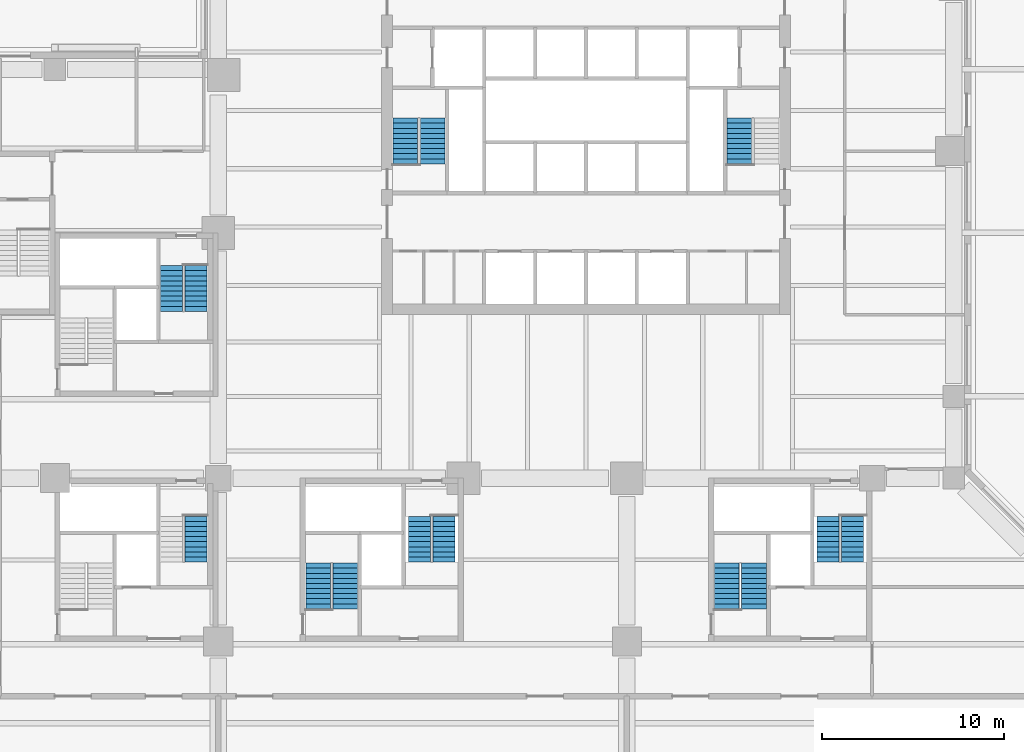
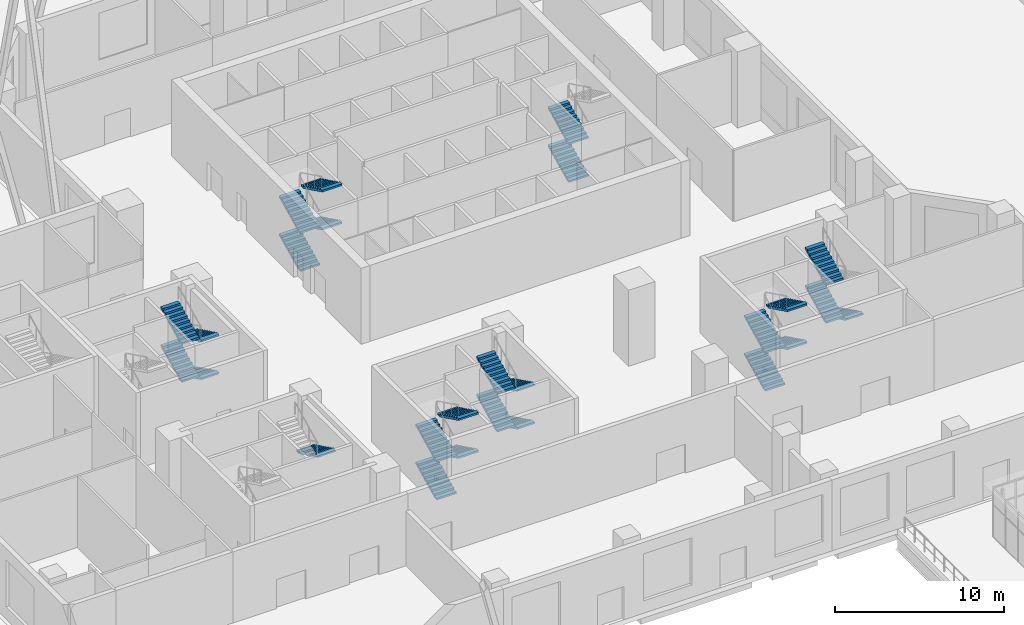
# One storey, part 28 of 33: 26 stair flights, 8 elements without a shape of their own.
"""IFC4 building model written with IfcOpenShell, lengths in metres."""

from ifc_helpers import new_model, si_unit, direction, frame, origin, place, context, subcontext, project, spatial, polyline, outline, extrude, material, type_object, element, aggregate, save


model = new_model("IFC4")

# Units and contexts
model_context = context("Model", 3, precision=1e-05, world=origin(), true_north=direction((0.0, 1.0)))
body_context = subcontext(model_context, "Body", "Model", "MODEL_VIEW")
ifc_project = project(units=[si_unit("LENGTHUNIT", "METRE"), si_unit("AREAUNIT", "SQUARE_METRE"), si_unit("VOLUMEUNIT", "CUBIC_METRE"), si_unit("PLANEANGLEUNIT", "RADIAN"), si_unit("MASSUNIT", "GRAM", prefix="KILO")], contexts=[model_context])

# Site, building, storey
site_placement = place(None, origin())
site = spatial("IfcSite", under=ifc_project, at=site_placement, CompositionType="ELEMENT")
building_placement = place(site_placement, origin())
building = spatial("IfcBuilding", under=site, at=building_placement, Name="Quoin Convention Tower", CompositionType="ELEMENT")
storey_placement = place(building_placement, frame((0.0, 0.0, 8.0)))
storey = spatial("IfcBuildingStorey", under=building, at=storey_placement, Name="L01", CompositionType="ELEMENT", Elevation=8.0)

# Stair, stair flights
ifc_material = material(Name="Concrete C40", Category="concrete")
stair_type_1 = type_object("IfcStairType", Name="Exit stair four-flight 1200", PredefinedType="DOUBLE_RETURN_STAIR", material=ifc_material)
stair_1_placement = place(storey_placement, origin())
stair_1 = element("IfcStair", 1, at=stair_1_placement, inside=storey, type_object=stair_type_1, Name="SD4 L01", PredefinedType="DOUBLE_RETURN_STAIR")
stair_flight_type_1 = type_object("IfcStairFlightType", Name="Stair flight 1200", PredefinedType="STRAIGHT", material=ifc_material)
stair_flight_1_placement = place(storey_placement, frame((34.77490234375, 52.199951171875, 0.0), z_axis=(0.0, 0.0, 1.0), x_axis=(0.0, -1.0, 0.0)))
stair_flight_1 = element("IfcStairFlight", 2, at=stair_flight_1_placement, type_object=stair_flight_type_1, Name="ST4 flight 1", NumberOfRisers=10, NumberOfTreads=9, PredefinedType="STRAIGHT", RiserHeight=0.1375, TreadLength=0.28, context=body_context, shape_type="SweptSolid", body=[
    extrude(outline(polyline([(0.0, 0.0), (0.0, 0.137451171875), (0.280029296875, 0.137451171875), (0.280029296875, 0.27490234375), (0.56005859375, 0.27490234375), (0.56005859375, 0.41259765625), (0.840087890625, 0.41259765625), (0.840087890625, 0.550048828125), (1.1201171875, 0.550048828125), (1.1201171875, 0.6875), (1.39990234375, 0.6875), (1.39990234375, 0.824951171875), (1.679931640625, 0.824951171875), (1.679931640625, 0.96240234375), (1.9599609375, 0.96240234375), (1.9599609375, 1.10009765625), (2.239990234375, 1.10009765625), (2.239990234375, 1.237548828125), (2.52001953125, 1.237548828125), (2.52001953125, 1.375), (2.52001953125, 1.103759765625), (0.2724609375, 0.0), (0.0, 0.0)])), frame((0.0, 0.60009765625, 0.0), z_axis=(0.0, -1.0, 0.0), x_axis=(1.0, 0.0, 0.0)), (0.0, 0.0, 1.0), 1.199951171875),
])
stair_flight_2_placement = place(storey_placement, frame((33.425048828125, 49.679931640625, 1.375), z_axis=(0.0, 0.0, 1.0), x_axis=(0.0, 1.0, 0.0)))
stair_flight_2 = element("IfcStairFlight", 3, at=stair_flight_2_placement, type_object=stair_flight_type_1, Name="ST4 flight 2", NumberOfRisers=10, NumberOfTreads=9, PredefinedType="STRAIGHT", RiserHeight=0.1375, TreadLength=0.28, context=body_context, shape_type="SweptSolid", body=[
    extrude(outline(polyline([(0.0, 0.0), (0.0, 0.137451171875), (0.280029296875, 0.137451171875), (0.280029296875, 0.27490234375), (0.56005859375, 0.27490234375), (0.56005859375, 0.41259765625), (0.840087890625, 0.41259765625), (0.840087890625, 0.550048828125), (1.1201171875, 0.550048828125), (1.1201171875, 0.6875), (1.39990234375, 0.6875), (1.39990234375, 0.824951171875), (1.679931640625, 0.824951171875), (1.679931640625, 0.96240234375), (1.9599609375, 0.96240234375), (1.9599609375, 1.10009765625), (2.239990234375, 1.10009765625), (2.239990234375, 1.237548828125), (2.52001953125, 1.237548828125), (2.52001953125, 1.375), (2.52001953125, 1.103759765625), (0.2724609375, 0.0), (0.0, 0.0)])), frame((0.0, 0.60009765625, 0.0), z_axis=(0.0, -1.0, 0.0), x_axis=(1.0, 0.0, 0.0)), (0.0, 0.0, 1.0), 1.199951171875),
])
stair_flight_3_placement = place(storey_placement, frame((34.77490234375, 52.199951171875, 2.75), z_axis=(0.0, 0.0, 1.0), x_axis=(0.0, -1.0, 0.0)))
stair_flight_3 = element("IfcStairFlight", 4, at=stair_flight_3_placement, type_object=stair_flight_type_1, Name="ST4 flight 3", NumberOfRisers=10, NumberOfTreads=9, PredefinedType="STRAIGHT", RiserHeight=0.1375, TreadLength=0.28, context=body_context, shape_type="SweptSolid", body=[
    extrude(outline(polyline([(0.0, 0.0), (0.0, 0.137451171875), (0.280029296875, 0.137451171875), (0.280029296875, 0.27490234375), (0.56005859375, 0.27490234375), (0.56005859375, 0.41259765625), (0.840087890625, 0.41259765625), (0.840087890625, 0.550048828125), (1.1201171875, 0.550048828125), (1.1201171875, 0.6875), (1.39990234375, 0.6875), (1.39990234375, 0.824951171875), (1.679931640625, 0.824951171875), (1.679931640625, 0.96240234375), (1.9599609375, 0.96240234375), (1.9599609375, 1.10009765625), (2.239990234375, 1.10009765625), (2.239990234375, 1.237548828125), (2.52001953125, 1.237548828125), (2.52001953125, 1.375), (2.52001953125, 1.103759765625), (0.2724609375, 0.0), (0.0, 0.0)])), frame((0.0, 0.60009765625, 0.0), z_axis=(0.0, -1.0, 0.0), x_axis=(1.0, 0.0, 0.0)), (0.0, 0.0, 1.0), 1.199951171875),
])
stair_flight_4_placement = place(storey_placement, frame((33.425048828125, 49.679931640625, 4.125), z_axis=(0.0, 0.0, 1.0), x_axis=(0.0, 1.0, 0.0)))
stair_flight_4 = element("IfcStairFlight", 5, at=stair_flight_4_placement, type_object=stair_flight_type_1, Name="ST4 flight 4", NumberOfRisers=10, NumberOfTreads=9, PredefinedType="STRAIGHT", RiserHeight=0.1375, TreadLength=0.28, context=body_context, shape_type="SweptSolid", body=[
    extrude(outline(polyline([(0.0, 0.0), (0.0, 0.137451171875), (0.280029296875, 0.137451171875), (0.280029296875, 0.27490234375), (0.56005859375, 0.27490234375), (0.56005859375, 0.41259765625), (0.840087890625, 0.41259765625), (0.840087890625, 0.550048828125), (1.1201171875, 0.550048828125), (1.1201171875, 0.6875), (1.39990234375, 0.6875), (1.39990234375, 0.824951171875), (1.679931640625, 0.824951171875), (1.679931640625, 0.96240234375), (1.9599609375, 0.96240234375), (1.9599609375, 1.10009765625), (2.239990234375, 1.10009765625), (2.239990234375, 1.237548828125), (2.52001953125, 1.237548828125), (2.52001953125, 1.375), (2.52001953125, 1.103759765625), (0.2724609375, 0.0), (0.0, 0.0)])), frame((0.0, 0.60009765625, 0.0), z_axis=(0.0, -1.0, 0.0), x_axis=(1.0, 0.0, 0.0)), (0.0, 0.0, 1.0), 1.199951171875),
])
aggregate(stair_1, [stair_flight_1, stair_flight_2, stair_flight_3, stair_flight_4])

stair_2_placement = place(storey_placement, origin())
stair_2 = element("IfcStair", 6, at=stair_2_placement, inside=storey, type_object=stair_type_1, Name="SD6 L01", PredefinedType="DOUBLE_RETURN_STAIR")
stair_flight_5_placement = place(storey_placement, frame((48.425048828125, 38.39990234375, 0.0), z_axis=(0.0, 0.0, 1.0), x_axis=(0.0, -1.0, 0.0)))
stair_flight_5 = element("IfcStairFlight", 7, at=stair_flight_5_placement, type_object=stair_flight_type_1, Name="ST6 flight 1", NumberOfRisers=10, NumberOfTreads=9, PredefinedType="STRAIGHT", RiserHeight=0.1375, TreadLength=0.28, context=body_context, shape_type="SweptSolid", body=[
    extrude(outline(polyline([(0.0, 0.0), (0.0, 0.137451171875), (0.280029296875, 0.137451171875), (0.280029296875, 0.27490234375), (0.56005859375, 0.27490234375), (0.56005859375, 0.41259765625), (0.840087890625, 0.41259765625), (0.840087890625, 0.550048828125), (1.1201171875, 0.550048828125), (1.1201171875, 0.6875), (1.39990234375, 0.6875), (1.39990234375, 0.824951171875), (1.679931640625, 0.824951171875), (1.679931640625, 0.96240234375), (1.9599609375, 0.96240234375), (1.9599609375, 1.10009765625), (2.239990234375, 1.10009765625), (2.239990234375, 1.237548828125), (2.52001953125, 1.237548828125), (2.52001953125, 1.375), (2.52001953125, 1.103759765625), (0.2724609375, 0.0), (0.0, 0.0)])), frame((0.0, 0.60009765625, 0.0), z_axis=(0.0, -1.0, 0.0), x_axis=(1.0, 0.0, 0.0)), (0.0, 0.0, 1.0), 1.199951171875),
])
stair_flight_6_placement = place(storey_placement, frame((47.074951171875, 35.8798828125, 1.375), z_axis=(0.0, 0.0, 1.0), x_axis=(0.0, 1.0, 0.0)))
stair_flight_6 = element("IfcStairFlight", 8, at=stair_flight_6_placement, type_object=stair_flight_type_1, Name="ST6 flight 2", NumberOfRisers=10, NumberOfTreads=9, PredefinedType="STRAIGHT", RiserHeight=0.1375, TreadLength=0.28, context=body_context, shape_type="SweptSolid", body=[
    extrude(outline(polyline([(0.0, 0.0), (0.0, 0.137451171875), (0.280029296875, 0.137451171875), (0.280029296875, 0.27490234375), (0.56005859375, 0.27490234375), (0.56005859375, 0.41259765625), (0.840087890625, 0.41259765625), (0.840087890625, 0.550048828125), (1.1201171875, 0.550048828125), (1.1201171875, 0.6875), (1.39990234375, 0.6875), (1.39990234375, 0.824951171875), (1.679931640625, 0.824951171875), (1.679931640625, 0.96240234375), (1.9599609375, 0.96240234375), (1.9599609375, 1.10009765625), (2.239990234375, 1.10009765625), (2.239990234375, 1.237548828125), (2.52001953125, 1.237548828125), (2.52001953125, 1.375), (2.52001953125, 1.103759765625), (0.2724609375, 0.0), (0.0, 0.0)])), frame((0.0, 0.60009765625, 0.0), z_axis=(0.0, -1.0, 0.0), x_axis=(1.0, 0.0, 0.0)), (0.0, 0.0, 1.0), 1.199951171875),
])
stair_flight_7_placement = place(storey_placement, frame((48.425048828125, 38.39990234375, 2.75), z_axis=(0.0, 0.0, 1.0), x_axis=(0.0, -1.0, 0.0)))
stair_flight_7 = element("IfcStairFlight", 9, at=stair_flight_7_placement, type_object=stair_flight_type_1, Name="ST6 flight 3", NumberOfRisers=10, NumberOfTreads=9, PredefinedType="STRAIGHT", RiserHeight=0.1375, TreadLength=0.28, context=body_context, shape_type="SweptSolid", body=[
    extrude(outline(polyline([(0.0, 0.0), (0.0, 0.137451171875), (0.280029296875, 0.137451171875), (0.280029296875, 0.27490234375), (0.56005859375, 0.27490234375), (0.56005859375, 0.41259765625), (0.840087890625, 0.41259765625), (0.840087890625, 0.550048828125), (1.1201171875, 0.550048828125), (1.1201171875, 0.6875), (1.39990234375, 0.6875), (1.39990234375, 0.824951171875), (1.679931640625, 0.824951171875), (1.679931640625, 0.96240234375), (1.9599609375, 0.96240234375), (1.9599609375, 1.10009765625), (2.239990234375, 1.10009765625), (2.239990234375, 1.237548828125), (2.52001953125, 1.237548828125), (2.52001953125, 1.375), (2.52001953125, 1.103759765625), (0.2724609375, 0.0), (0.0, 0.0)])), frame((0.0, 0.60009765625, 0.0), z_axis=(0.0, -1.0, 0.0), x_axis=(1.0, 0.0, 0.0)), (0.0, 0.0, 1.0), 1.199951171875),
])
stair_flight_8_placement = place(storey_placement, frame((47.074951171875, 35.8798828125, 4.125), z_axis=(0.0, 0.0, 1.0), x_axis=(0.0, 1.0, 0.0)))
stair_flight_8 = element("IfcStairFlight", 10, at=stair_flight_8_placement, type_object=stair_flight_type_1, Name="ST6 flight 4", NumberOfRisers=10, NumberOfTreads=9, PredefinedType="STRAIGHT", RiserHeight=0.1375, TreadLength=0.28, context=body_context, shape_type="SweptSolid", body=[
    extrude(outline(polyline([(0.0, 0.0), (0.0, 0.137451171875), (0.280029296875, 0.137451171875), (0.280029296875, 0.27490234375), (0.56005859375, 0.27490234375), (0.56005859375, 0.41259765625), (0.840087890625, 0.41259765625), (0.840087890625, 0.550048828125), (1.1201171875, 0.550048828125), (1.1201171875, 0.6875), (1.39990234375, 0.6875), (1.39990234375, 0.824951171875), (1.679931640625, 0.824951171875), (1.679931640625, 0.96240234375), (1.9599609375, 0.96240234375), (1.9599609375, 1.10009765625), (2.239990234375, 1.10009765625), (2.239990234375, 1.237548828125), (2.52001953125, 1.237548828125), (2.52001953125, 1.375), (2.52001953125, 1.103759765625), (0.2724609375, 0.0), (0.0, 0.0)])), frame((0.0, 0.60009765625, 0.0), z_axis=(0.0, -1.0, 0.0), x_axis=(1.0, 0.0, 0.0)), (0.0, 0.0, 1.0), 1.199951171875),
])
aggregate(stair_2, [stair_flight_5, stair_flight_6, stair_flight_7, stair_flight_8])

# Stair, stair flight
stair_3_placement = place(storey_placement, origin())
stair_3 = element("IfcStair", 11, at=stair_3_placement, inside=storey, type_object=stair_type_1, Name="SD8 L01", PredefinedType="DOUBLE_RETURN_STAIR")
stair_flight_9_placement = place(storey_placement, frame((34.77490234375, 38.39990234375, 2.75), z_axis=(0.0, 0.0, 1.0), x_axis=(0.0, -1.0, 0.0)))
stair_flight_9 = element("IfcStairFlight", 12, at=stair_flight_9_placement, type_object=stair_flight_type_1, Name="ST8 flight 3", NumberOfRisers=10, NumberOfTreads=9, PredefinedType="STRAIGHT", RiserHeight=0.1375, TreadLength=0.28, context=body_context, shape_type="SweptSolid", body=[
    extrude(outline(polyline([(0.0, 0.0), (0.0, 0.137451171875), (0.280029296875, 0.137451171875), (0.280029296875, 0.27490234375), (0.56005859375, 0.27490234375), (0.56005859375, 0.41259765625), (0.840087890625, 0.41259765625), (0.840087890625, 0.550048828125), (1.1201171875, 0.550048828125), (1.1201171875, 0.6875), (1.39990234375, 0.6875), (1.39990234375, 0.824951171875), (1.679931640625, 0.824951171875), (1.679931640625, 0.96240234375), (1.9599609375, 0.96240234375), (1.9599609375, 1.10009765625), (2.239990234375, 1.10009765625), (2.239990234375, 1.237548828125), (2.52001953125, 1.237548828125), (2.52001953125, 1.375), (2.52001953125, 1.103759765625), (0.2724609375, 0.0), (0.0, 0.0)])), frame((0.0, 0.60009765625, 0.0), z_axis=(0.0, -1.0, 0.0), x_axis=(1.0, 0.0, 0.0)), (0.0, 0.0, 1.0), 1.199951171875),
])
aggregate(stair_3, [stair_flight_9])

# Stair, stair flights
stair_4_placement = place(storey_placement, origin())
stair_4 = element("IfcStair", 13, at=stair_4_placement, inside=storey, type_object=stair_type_1, Name="SD10 L01", PredefinedType="DOUBLE_RETURN_STAIR")
stair_flight_10_placement = place(storey_placement, frame((70.925048828125, 38.39990234375, 0.0), z_axis=(0.0, 0.0, 1.0), x_axis=(0.0, -1.0, 0.0)))
stair_flight_10 = element("IfcStairFlight", 14, at=stair_flight_10_placement, type_object=stair_flight_type_1, Name="ST10 flight 1", NumberOfRisers=10, NumberOfTreads=9, PredefinedType="STRAIGHT", RiserHeight=0.1375, TreadLength=0.28, context=body_context, shape_type="SweptSolid", body=[
    extrude(outline(polyline([(0.0, 0.0), (0.0, 0.137451171875), (0.280029296875, 0.137451171875), (0.280029296875, 0.27490234375), (0.56005859375, 0.27490234375), (0.56005859375, 0.41259765625), (0.840087890625, 0.41259765625), (0.840087890625, 0.550048828125), (1.1201171875, 0.550048828125), (1.1201171875, 0.6875), (1.39990234375, 0.6875), (1.39990234375, 0.824951171875), (1.679931640625, 0.824951171875), (1.679931640625, 0.96240234375), (1.9599609375, 0.96240234375), (1.9599609375, 1.10009765625), (2.239990234375, 1.10009765625), (2.239990234375, 1.237548828125), (2.52001953125, 1.237548828125), (2.52001953125, 1.375), (2.52001953125, 1.103759765625), (0.2724609375, 0.0), (0.0, 0.0)])), frame((0.0, 0.60009765625, 0.0), z_axis=(0.0, -1.0, 0.0), x_axis=(1.0, 0.0, 0.0)), (0.0, 0.0, 1.0), 1.199951171875),
])
stair_flight_11_placement = place(storey_placement, frame((69.574951171875, 35.8798828125, 1.375), z_axis=(0.0, 0.0, 1.0), x_axis=(0.0, 1.0, 0.0)))
stair_flight_11 = element("IfcStairFlight", 15, at=stair_flight_11_placement, type_object=stair_flight_type_1, Name="ST10 flight 2", NumberOfRisers=10, NumberOfTreads=9, PredefinedType="STRAIGHT", RiserHeight=0.1375, TreadLength=0.28, context=body_context, shape_type="SweptSolid", body=[
    extrude(outline(polyline([(0.0, 0.0), (0.0, 0.137451171875), (0.280029296875, 0.137451171875), (0.280029296875, 0.27490234375), (0.56005859375, 0.27490234375), (0.56005859375, 0.41259765625), (0.840087890625, 0.41259765625), (0.840087890625, 0.550048828125), (1.1201171875, 0.550048828125), (1.1201171875, 0.6875), (1.39990234375, 0.6875), (1.39990234375, 0.824951171875), (1.679931640625, 0.824951171875), (1.679931640625, 0.96240234375), (1.9599609375, 0.96240234375), (1.9599609375, 1.10009765625), (2.239990234375, 1.10009765625), (2.239990234375, 1.237548828125), (2.52001953125, 1.237548828125), (2.52001953125, 1.375), (2.52001953125, 1.103759765625), (0.2724609375, 0.0), (0.0, 0.0)])), frame((0.0, 0.60009765625, 0.0), z_axis=(0.0, -1.0, 0.0), x_axis=(1.0, 0.0, 0.0)), (0.0, 0.0, 1.0), 1.199951171875),
])
stair_flight_12_placement = place(storey_placement, frame((69.574951171875, 35.8798828125, 4.125), z_axis=(0.0, 0.0, 1.0), x_axis=(0.0, 1.0, 0.0)))
stair_flight_12 = element("IfcStairFlight", 16, at=stair_flight_12_placement, type_object=stair_flight_type_1, Name="ST10 flight 4", NumberOfRisers=10, NumberOfTreads=9, PredefinedType="STRAIGHT", RiserHeight=0.1375, TreadLength=0.28, context=body_context, shape_type="SweptSolid", body=[
    extrude(outline(polyline([(0.0, 0.0), (0.0, 0.137451171875), (0.280029296875, 0.137451171875), (0.280029296875, 0.27490234375), (0.56005859375, 0.27490234375), (0.56005859375, 0.41259765625), (0.840087890625, 0.41259765625), (0.840087890625, 0.550048828125), (1.1201171875, 0.550048828125), (1.1201171875, 0.6875), (1.39990234375, 0.6875), (1.39990234375, 0.824951171875), (1.679931640625, 0.824951171875), (1.679931640625, 0.96240234375), (1.9599609375, 0.96240234375), (1.9599609375, 1.10009765625), (2.239990234375, 1.10009765625), (2.239990234375, 1.237548828125), (2.52001953125, 1.237548828125), (2.52001953125, 1.375), (2.52001953125, 1.103759765625), (0.2724609375, 0.0), (0.0, 0.0)])), frame((0.0, 0.60009765625, 0.0), z_axis=(0.0, -1.0, 0.0), x_axis=(1.0, 0.0, 0.0)), (0.0, 0.0, 1.0), 1.199951171875),
])
aggregate(stair_4, [stair_flight_10, stair_flight_11, stair_flight_12])

stair_type_2 = type_object("IfcStairType", Name="Exit stair four-flight 1350", PredefinedType="DOUBLE_RETURN_STAIR", material=ifc_material)
stair_5_placement = place(storey_placement, origin())
stair_5 = element("IfcStair", 17, at=stair_5_placement, inside=storey, type_object=stair_type_2, Name="SD1 L01", PredefinedType="DOUBLE_RETURN_STAIR")
stair_flight_type_2 = type_object("IfcStairFlightType", Name="Stair flight 1350", PredefinedType="STRAIGHT", material=ifc_material)
stair_flight_13_placement = place(storey_placement, frame((46.300048828125, 57.800048828125, 0.0), z_axis=(0.0, 0.0, 1.0), x_axis=(0.0, 1.0, 0.0)))
stair_flight_13 = element("IfcStairFlight", 18, at=stair_flight_13_placement, type_object=stair_flight_type_2, Name="ST1 flight 1", NumberOfRisers=10, NumberOfTreads=9, PredefinedType="STRAIGHT", RiserHeight=0.1375, TreadLength=0.28, context=body_context, shape_type="SweptSolid", body=[
    extrude(outline(polyline([(0.0, 0.0), (0.0, 0.137451171875), (0.280029296875, 0.137451171875), (0.280029296875, 0.27490234375), (0.56005859375, 0.27490234375), (0.56005859375, 0.41259765625), (0.840087890625, 0.41259765625), (0.840087890625, 0.550048828125), (1.1201171875, 0.550048828125), (1.1201171875, 0.6875), (1.39990234375, 0.6875), (1.39990234375, 0.824951171875), (1.679931640625, 0.824951171875), (1.679931640625, 0.96240234375), (1.9599609375, 0.96240234375), (1.9599609375, 1.10009765625), (2.239990234375, 1.10009765625), (2.239990234375, 1.237548828125), (2.52001953125, 1.237548828125), (2.52001953125, 1.375), (2.52001953125, 1.103759765625), (0.2724609375, 0.0), (0.0, 0.0)])), frame((0.0, 0.675048828125, 0.0), z_axis=(0.0, -1.0, 0.0), x_axis=(1.0, 0.0, 0.0)), (0.0, 0.0, 1.0), 1.35009765625),
])
stair_flight_14_placement = place(storey_placement, frame((47.800048828125, 60.320068359375, 1.375), z_axis=(0.0, 0.0, 1.0), x_axis=(0.0, -1.0, 0.0)))
stair_flight_14 = element("IfcStairFlight", 19, at=stair_flight_14_placement, type_object=stair_flight_type_2, Name="ST1 flight 2", NumberOfRisers=10, NumberOfTreads=9, PredefinedType="STRAIGHT", RiserHeight=0.1375, TreadLength=0.28, context=body_context, shape_type="SweptSolid", body=[
    extrude(outline(polyline([(0.0, 0.0), (0.0, 0.137451171875), (0.280029296875, 0.137451171875), (0.280029296875, 0.27490234375), (0.56005859375, 0.27490234375), (0.56005859375, 0.41259765625), (0.840087890625, 0.41259765625), (0.840087890625, 0.550048828125), (1.1201171875, 0.550048828125), (1.1201171875, 0.6875), (1.39990234375, 0.6875), (1.39990234375, 0.824951171875), (1.679931640625, 0.824951171875), (1.679931640625, 0.96240234375), (1.9599609375, 0.96240234375), (1.9599609375, 1.10009765625), (2.239990234375, 1.10009765625), (2.239990234375, 1.237548828125), (2.52001953125, 1.237548828125), (2.52001953125, 1.375), (2.52001953125, 1.103759765625), (0.2724609375, 0.0), (0.0, 0.0)])), frame((0.0, 0.675048828125, 0.0), z_axis=(0.0, -1.0, 0.0), x_axis=(1.0, 0.0, 0.0)), (0.0, 0.0, 1.0), 1.35009765625),
])
stair_flight_15_placement = place(storey_placement, frame((46.300048828125, 57.800048828125, 2.75), z_axis=(0.0, 0.0, 1.0), x_axis=(0.0, 1.0, 0.0)))
stair_flight_15 = element("IfcStairFlight", 20, at=stair_flight_15_placement, type_object=stair_flight_type_2, Name="ST1 flight 3", NumberOfRisers=10, NumberOfTreads=9, PredefinedType="STRAIGHT", RiserHeight=0.1375, TreadLength=0.28, context=body_context, shape_type="SweptSolid", body=[
    extrude(outline(polyline([(0.0, 0.0), (0.0, 0.137451171875), (0.280029296875, 0.137451171875), (0.280029296875, 0.27490234375), (0.56005859375, 0.27490234375), (0.56005859375, 0.41259765625), (0.840087890625, 0.41259765625), (0.840087890625, 0.550048828125), (1.1201171875, 0.550048828125), (1.1201171875, 0.6875), (1.39990234375, 0.6875), (1.39990234375, 0.824951171875), (1.679931640625, 0.824951171875), (1.679931640625, 0.96240234375), (1.9599609375, 0.96240234375), (1.9599609375, 1.10009765625), (2.239990234375, 1.10009765625), (2.239990234375, 1.237548828125), (2.52001953125, 1.237548828125), (2.52001953125, 1.375), (2.52001953125, 1.103759765625), (0.2724609375, 0.0), (0.0, 0.0)])), frame((0.0, 0.675048828125, 0.0), z_axis=(0.0, -1.0, 0.0), x_axis=(1.0, 0.0, 0.0)), (0.0, 0.0, 1.0), 1.35009765625),
])
stair_flight_16_placement = place(storey_placement, frame((47.800048828125, 60.320068359375, 4.125), z_axis=(0.0, 0.0, 1.0), x_axis=(0.0, -1.0, 0.0)))
stair_flight_16 = element("IfcStairFlight", 21, at=stair_flight_16_placement, type_object=stair_flight_type_2, Name="ST1 flight 4", NumberOfRisers=10, NumberOfTreads=9, PredefinedType="STRAIGHT", RiserHeight=0.1375, TreadLength=0.28, context=body_context, shape_type="SweptSolid", body=[
    extrude(outline(polyline([(0.0, 0.0), (0.0, 0.137451171875), (0.280029296875, 0.137451171875), (0.280029296875, 0.27490234375), (0.56005859375, 0.27490234375), (0.56005859375, 0.41259765625), (0.840087890625, 0.41259765625), (0.840087890625, 0.550048828125), (1.1201171875, 0.550048828125), (1.1201171875, 0.6875), (1.39990234375, 0.6875), (1.39990234375, 0.824951171875), (1.679931640625, 0.824951171875), (1.679931640625, 0.96240234375), (1.9599609375, 0.96240234375), (1.9599609375, 1.10009765625), (2.239990234375, 1.10009765625), (2.239990234375, 1.237548828125), (2.52001953125, 1.237548828125), (2.52001953125, 1.375), (2.52001953125, 1.103759765625), (0.2724609375, 0.0), (0.0, 0.0)])), frame((0.0, 0.675048828125, 0.0), z_axis=(0.0, -1.0, 0.0), x_axis=(1.0, 0.0, 0.0)), (0.0, 0.0, 1.0), 1.35009765625),
])
aggregate(stair_5, [stair_flight_13, stair_flight_14, stair_flight_15, stair_flight_16])

stair_6_placement = place(storey_placement, origin())
stair_6 = element("IfcStair", 22, at=stair_6_placement, inside=storey, type_object=stair_type_2, Name="SD2 L01", PredefinedType="DOUBLE_RETURN_STAIR")
stair_flight_17_placement = place(storey_placement, frame((64.699951171875, 57.800048828125, 0.0), z_axis=(0.0, 0.0, 1.0), x_axis=(0.0, 1.0, 0.0)))
stair_flight_17 = element("IfcStairFlight", 23, at=stair_flight_17_placement, type_object=stair_flight_type_2, Name="ST2 flight 1", NumberOfRisers=10, NumberOfTreads=9, PredefinedType="STRAIGHT", RiserHeight=0.1375, TreadLength=0.28, context=body_context, shape_type="SweptSolid", body=[
    extrude(outline(polyline([(0.0, 0.0), (0.0, 0.137451171875), (0.280029296875, 0.137451171875), (0.280029296875, 0.27490234375), (0.56005859375, 0.27490234375), (0.56005859375, 0.41259765625), (0.840087890625, 0.41259765625), (0.840087890625, 0.550048828125), (1.1201171875, 0.550048828125), (1.1201171875, 0.6875), (1.39990234375, 0.6875), (1.39990234375, 0.824951171875), (1.679931640625, 0.824951171875), (1.679931640625, 0.96240234375), (1.9599609375, 0.96240234375), (1.9599609375, 1.10009765625), (2.239990234375, 1.10009765625), (2.239990234375, 1.237548828125), (2.52001953125, 1.237548828125), (2.52001953125, 1.375), (2.52001953125, 1.103759765625), (0.2724609375, 0.0), (0.0, 0.0)])), frame((0.0, 0.675048828125, 0.0), z_axis=(0.0, -1.0, 0.0), x_axis=(1.0, 0.0, 0.0)), (0.0, 0.0, 1.0), 1.35009765625),
])
stair_flight_18_placement = place(storey_placement, frame((64.699951171875, 57.800048828125, 2.75), z_axis=(0.0, 0.0, 1.0), x_axis=(0.0, 1.0, 0.0)))
stair_flight_18 = element("IfcStairFlight", 24, at=stair_flight_18_placement, type_object=stair_flight_type_2, Name="ST2 flight 3", NumberOfRisers=10, NumberOfTreads=9, PredefinedType="STRAIGHT", RiserHeight=0.1375, TreadLength=0.28, context=body_context, shape_type="SweptSolid", body=[
    extrude(outline(polyline([(0.0, 0.0), (0.0, 0.137451171875), (0.280029296875, 0.137451171875), (0.280029296875, 0.27490234375), (0.56005859375, 0.27490234375), (0.56005859375, 0.41259765625), (0.840087890625, 0.41259765625), (0.840087890625, 0.550048828125), (1.1201171875, 0.550048828125), (1.1201171875, 0.6875), (1.39990234375, 0.6875), (1.39990234375, 0.824951171875), (1.679931640625, 0.824951171875), (1.679931640625, 0.96240234375), (1.9599609375, 0.96240234375), (1.9599609375, 1.10009765625), (2.239990234375, 1.10009765625), (2.239990234375, 1.237548828125), (2.52001953125, 1.237548828125), (2.52001953125, 1.375), (2.52001953125, 1.103759765625), (0.2724609375, 0.0), (0.0, 0.0)])), frame((0.0, 0.675048828125, 0.0), z_axis=(0.0, -1.0, 0.0), x_axis=(1.0, 0.0, 0.0)), (0.0, 0.0, 1.0), 1.35009765625),
])
aggregate(stair_6, [stair_flight_17, stair_flight_18])

stair_7_placement = place(storey_placement, origin())
stair_7 = element("IfcStair", 25, at=stair_7_placement, inside=storey, type_object=stair_type_2, Name="SD5 L01", PredefinedType="DOUBLE_RETURN_STAIR")
stair_flight_19_placement = place(storey_placement, frame((41.5, 33.300048828125, 0.0), z_axis=(0.0, 0.0, 1.0), x_axis=(0.0, 1.0, 0.0)))
stair_flight_19 = element("IfcStairFlight", 26, at=stair_flight_19_placement, type_object=stair_flight_type_2, Name="ST5 flight 1", NumberOfRisers=10, NumberOfTreads=9, PredefinedType="STRAIGHT", RiserHeight=0.1375, TreadLength=0.28, context=body_context, shape_type="SweptSolid", body=[
    extrude(outline(polyline([(0.0, 0.0), (0.0, 0.137451171875), (0.280029296875, 0.137451171875), (0.280029296875, 0.27490234375), (0.56005859375, 0.27490234375), (0.56005859375, 0.41259765625), (0.840087890625, 0.41259765625), (0.840087890625, 0.550048828125), (1.1201171875, 0.550048828125), (1.1201171875, 0.6875), (1.39990234375, 0.6875), (1.39990234375, 0.824951171875), (1.679931640625, 0.824951171875), (1.679931640625, 0.96240234375), (1.9599609375, 0.96240234375), (1.9599609375, 1.10009765625), (2.239990234375, 1.10009765625), (2.239990234375, 1.237548828125), (2.52001953125, 1.237548828125), (2.52001953125, 1.375), (2.52001953125, 1.103759765625), (0.2724609375, 0.0), (0.0, 0.0)])), frame((0.0, 0.675048828125, 0.0), z_axis=(0.0, -1.0, 0.0), x_axis=(1.0, 0.0, 0.0)), (0.0, 0.0, 1.0), 1.35009765625),
])
stair_flight_20_placement = place(storey_placement, frame((43.0, 35.820068359375, 1.375), z_axis=(0.0, 0.0, 1.0), x_axis=(0.0, -1.0, 0.0)))
stair_flight_20 = element("IfcStairFlight", 27, at=stair_flight_20_placement, type_object=stair_flight_type_2, Name="ST5 flight 2", NumberOfRisers=10, NumberOfTreads=9, PredefinedType="STRAIGHT", RiserHeight=0.1375, TreadLength=0.28, context=body_context, shape_type="SweptSolid", body=[
    extrude(outline(polyline([(0.0, 0.0), (0.0, 0.137451171875), (0.280029296875, 0.137451171875), (0.280029296875, 0.27490234375), (0.56005859375, 0.27490234375), (0.56005859375, 0.41259765625), (0.840087890625, 0.41259765625), (0.840087890625, 0.550048828125), (1.1201171875, 0.550048828125), (1.1201171875, 0.6875), (1.39990234375, 0.6875), (1.39990234375, 0.824951171875), (1.679931640625, 0.824951171875), (1.679931640625, 0.96240234375), (1.9599609375, 0.96240234375), (1.9599609375, 1.10009765625), (2.239990234375, 1.10009765625), (2.239990234375, 1.237548828125), (2.52001953125, 1.237548828125), (2.52001953125, 1.375), (2.52001953125, 1.103759765625), (0.2724609375, 0.0), (0.0, 0.0)])), frame((0.0, 0.675048828125, 0.0), z_axis=(0.0, -1.0, 0.0), x_axis=(1.0, 0.0, 0.0)), (0.0, 0.0, 1.0), 1.35009765625),
])
stair_flight_21_placement = place(storey_placement, frame((41.5, 33.300048828125, 2.75), z_axis=(0.0, 0.0, 1.0), x_axis=(0.0, 1.0, 0.0)))
stair_flight_21 = element("IfcStairFlight", 28, at=stair_flight_21_placement, type_object=stair_flight_type_2, Name="ST5 flight 3", NumberOfRisers=10, NumberOfTreads=9, PredefinedType="STRAIGHT", RiserHeight=0.1375, TreadLength=0.28, context=body_context, shape_type="SweptSolid", body=[
    extrude(outline(polyline([(0.0, 0.0), (0.0, 0.137451171875), (0.280029296875, 0.137451171875), (0.280029296875, 0.27490234375), (0.56005859375, 0.27490234375), (0.56005859375, 0.41259765625), (0.840087890625, 0.41259765625), (0.840087890625, 0.550048828125), (1.1201171875, 0.550048828125), (1.1201171875, 0.6875), (1.39990234375, 0.6875), (1.39990234375, 0.824951171875), (1.679931640625, 0.824951171875), (1.679931640625, 0.96240234375), (1.9599609375, 0.96240234375), (1.9599609375, 1.10009765625), (2.239990234375, 1.10009765625), (2.239990234375, 1.237548828125), (2.52001953125, 1.237548828125), (2.52001953125, 1.375), (2.52001953125, 1.103759765625), (0.2724609375, 0.0), (0.0, 0.0)])), frame((0.0, 0.675048828125, 0.0), z_axis=(0.0, -1.0, 0.0), x_axis=(1.0, 0.0, 0.0)), (0.0, 0.0, 1.0), 1.35009765625),
])
stair_flight_22_placement = place(storey_placement, frame((43.0, 35.820068359375, 4.125), z_axis=(0.0, 0.0, 1.0), x_axis=(0.0, -1.0, 0.0)))
stair_flight_22 = element("IfcStairFlight", 29, at=stair_flight_22_placement, type_object=stair_flight_type_2, Name="ST5 flight 4", NumberOfRisers=10, NumberOfTreads=9, PredefinedType="STRAIGHT", RiserHeight=0.1375, TreadLength=0.28, context=body_context, shape_type="SweptSolid", body=[
    extrude(outline(polyline([(0.0, 0.0), (0.0, 0.137451171875), (0.280029296875, 0.137451171875), (0.280029296875, 0.27490234375), (0.56005859375, 0.27490234375), (0.56005859375, 0.41259765625), (0.840087890625, 0.41259765625), (0.840087890625, 0.550048828125), (1.1201171875, 0.550048828125), (1.1201171875, 0.6875), (1.39990234375, 0.6875), (1.39990234375, 0.824951171875), (1.679931640625, 0.824951171875), (1.679931640625, 0.96240234375), (1.9599609375, 0.96240234375), (1.9599609375, 1.10009765625), (2.239990234375, 1.10009765625), (2.239990234375, 1.237548828125), (2.52001953125, 1.237548828125), (2.52001953125, 1.375), (2.52001953125, 1.103759765625), (0.2724609375, 0.0), (0.0, 0.0)])), frame((0.0, 0.675048828125, 0.0), z_axis=(0.0, -1.0, 0.0), x_axis=(1.0, 0.0, 0.0)), (0.0, 0.0, 1.0), 1.35009765625),
])
aggregate(stair_7, [stair_flight_19, stair_flight_20, stair_flight_21, stair_flight_22])

stair_8_placement = place(storey_placement, origin())
stair_8 = element("IfcStair", 30, at=stair_8_placement, inside=storey, type_object=stair_type_2, Name="SD9 L01", PredefinedType="DOUBLE_RETURN_STAIR")
stair_flight_23_placement = place(storey_placement, frame((64.0, 33.300048828125, 0.0), z_axis=(0.0, 0.0, 1.0), x_axis=(0.0, 1.0, 0.0)))
stair_flight_23 = element("IfcStairFlight", 31, at=stair_flight_23_placement, type_object=stair_flight_type_2, Name="ST9 flight 1", NumberOfRisers=10, NumberOfTreads=9, PredefinedType="STRAIGHT", RiserHeight=0.1375, TreadLength=0.28, context=body_context, shape_type="SweptSolid", body=[
    extrude(outline(polyline([(0.0, 0.0), (0.0, 0.137451171875), (0.280029296875, 0.137451171875), (0.280029296875, 0.27490234375), (0.56005859375, 0.27490234375), (0.56005859375, 0.41259765625), (0.840087890625, 0.41259765625), (0.840087890625, 0.550048828125), (1.1201171875, 0.550048828125), (1.1201171875, 0.6875), (1.39990234375, 0.6875), (1.39990234375, 0.824951171875), (1.679931640625, 0.824951171875), (1.679931640625, 0.96240234375), (1.9599609375, 0.96240234375), (1.9599609375, 1.10009765625), (2.239990234375, 1.10009765625), (2.239990234375, 1.237548828125), (2.52001953125, 1.237548828125), (2.52001953125, 1.375), (2.52001953125, 1.103759765625), (0.2724609375, 0.0), (0.0, 0.0)])), frame((0.0, 0.675048828125, 0.0), z_axis=(0.0, -1.0, 0.0), x_axis=(1.0, 0.0, 0.0)), (0.0, 0.0, 1.0), 1.35009765625),
])
stair_flight_24_placement = place(storey_placement, frame((65.5, 35.820068359375, 1.375), z_axis=(0.0, 0.0, 1.0), x_axis=(0.0, -1.0, 0.0)))
stair_flight_24 = element("IfcStairFlight", 32, at=stair_flight_24_placement, type_object=stair_flight_type_2, Name="ST9 flight 2", NumberOfRisers=10, NumberOfTreads=9, PredefinedType="STRAIGHT", RiserHeight=0.1375, TreadLength=0.28, context=body_context, shape_type="SweptSolid", body=[
    extrude(outline(polyline([(0.0, 0.0), (0.0, 0.137451171875), (0.280029296875, 0.137451171875), (0.280029296875, 0.27490234375), (0.56005859375, 0.27490234375), (0.56005859375, 0.41259765625), (0.840087890625, 0.41259765625), (0.840087890625, 0.550048828125), (1.1201171875, 0.550048828125), (1.1201171875, 0.6875), (1.39990234375, 0.6875), (1.39990234375, 0.824951171875), (1.679931640625, 0.824951171875), (1.679931640625, 0.96240234375), (1.9599609375, 0.96240234375), (1.9599609375, 1.10009765625), (2.239990234375, 1.10009765625), (2.239990234375, 1.237548828125), (2.52001953125, 1.237548828125), (2.52001953125, 1.375), (2.52001953125, 1.103759765625), (0.2724609375, 0.0), (0.0, 0.0)])), frame((0.0, 0.675048828125, 0.0), z_axis=(0.0, -1.0, 0.0), x_axis=(1.0, 0.0, 0.0)), (0.0, 0.0, 1.0), 1.35009765625),
])
stair_flight_25_placement = place(storey_placement, frame((64.0, 33.300048828125, 2.75), z_axis=(0.0, 0.0, 1.0), x_axis=(0.0, 1.0, 0.0)))
stair_flight_25 = element("IfcStairFlight", 33, at=stair_flight_25_placement, type_object=stair_flight_type_2, Name="ST9 flight 3", NumberOfRisers=10, NumberOfTreads=9, PredefinedType="STRAIGHT", RiserHeight=0.1375, TreadLength=0.28, context=body_context, shape_type="SweptSolid", body=[
    extrude(outline(polyline([(0.0, 0.0), (0.0, 0.137451171875), (0.280029296875, 0.137451171875), (0.280029296875, 0.27490234375), (0.56005859375, 0.27490234375), (0.56005859375, 0.41259765625), (0.840087890625, 0.41259765625), (0.840087890625, 0.550048828125), (1.1201171875, 0.550048828125), (1.1201171875, 0.6875), (1.39990234375, 0.6875), (1.39990234375, 0.824951171875), (1.679931640625, 0.824951171875), (1.679931640625, 0.96240234375), (1.9599609375, 0.96240234375), (1.9599609375, 1.10009765625), (2.239990234375, 1.10009765625), (2.239990234375, 1.237548828125), (2.52001953125, 1.237548828125), (2.52001953125, 1.375), (2.52001953125, 1.103759765625), (0.2724609375, 0.0), (0.0, 0.0)])), frame((0.0, 0.675048828125, 0.0), z_axis=(0.0, -1.0, 0.0), x_axis=(1.0, 0.0, 0.0)), (0.0, 0.0, 1.0), 1.35009765625),
])
stair_flight_26_placement = place(storey_placement, frame((65.5, 35.820068359375, 4.125), z_axis=(0.0, 0.0, 1.0), x_axis=(0.0, -1.0, 0.0)))
stair_flight_26 = element("IfcStairFlight", 34, at=stair_flight_26_placement, type_object=stair_flight_type_2, Name="ST9 flight 4", NumberOfRisers=10, NumberOfTreads=9, PredefinedType="STRAIGHT", RiserHeight=0.1375, TreadLength=0.28, context=body_context, shape_type="SweptSolid", body=[
    extrude(outline(polyline([(0.0, 0.0), (0.0, 0.137451171875), (0.280029296875, 0.137451171875), (0.280029296875, 0.27490234375), (0.56005859375, 0.27490234375), (0.56005859375, 0.41259765625), (0.840087890625, 0.41259765625), (0.840087890625, 0.550048828125), (1.1201171875, 0.550048828125), (1.1201171875, 0.6875), (1.39990234375, 0.6875), (1.39990234375, 0.824951171875), (1.679931640625, 0.824951171875), (1.679931640625, 0.96240234375), (1.9599609375, 0.96240234375), (1.9599609375, 1.10009765625), (2.239990234375, 1.10009765625), (2.239990234375, 1.237548828125), (2.52001953125, 1.237548828125), (2.52001953125, 1.375), (2.52001953125, 1.103759765625), (0.2724609375, 0.0), (0.0, 0.0)])), frame((0.0, 0.675048828125, 0.0), z_axis=(0.0, -1.0, 0.0), x_axis=(1.0, 0.0, 0.0)), (0.0, 0.0, 1.0), 1.35009765625),
])
aggregate(stair_8, [stair_flight_23, stair_flight_24, stair_flight_25, stair_flight_26])

save(model, "model.ifc")
